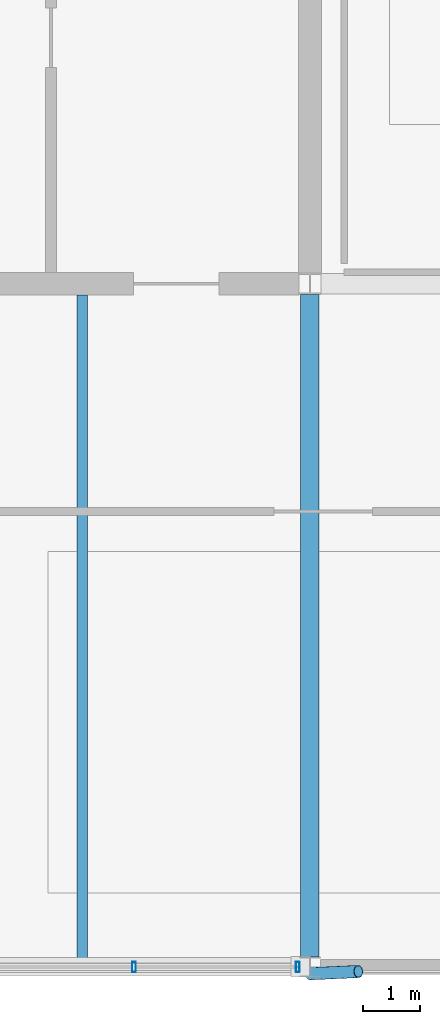
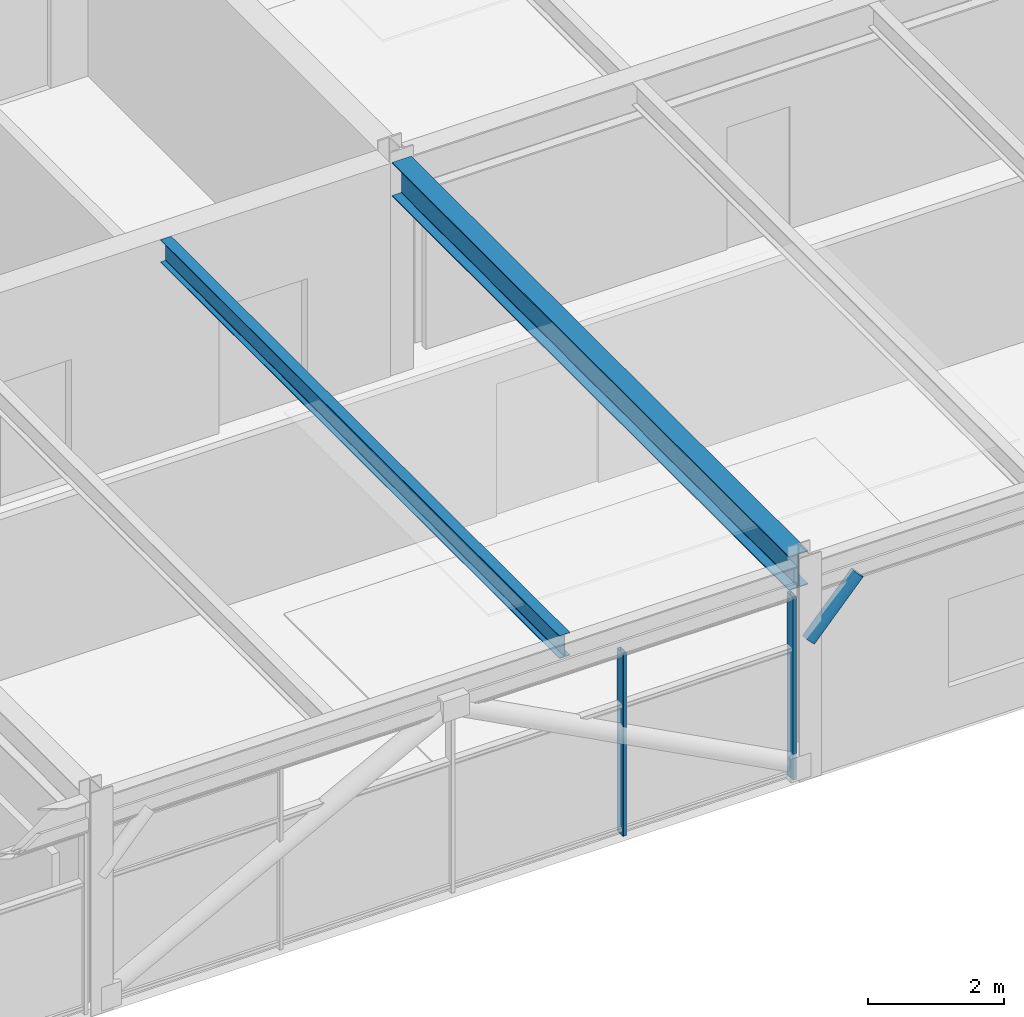
# One storey, part 29 of 40: 3 members, 2 beams, 1 element without a shape of its own.
"""IFC4 building model written with IfcOpenShell, lengths in metres."""

import ifcopenshell
import ifcopenshell.guid

model = None  # the IFC model being written
_history = None  # IfcOwnerHistory: only IFC2X3 demands one
_inside = {}  # id of a spatial element -> (the spatial element, [elements in it])
_under = {}  # id of a project, library or spatial element -> (it, [spatial elements below it])
_declared = {}  # id of a project -> (the project, [libraries it declares])
_typed = {}  # id of a type object -> (the type object, [elements of that type])
_made_of = {}  # id of a material, layer set ... -> (it, [elements and type objects made of it])


def new_model(schema):
    """Start an empty IFC model of exactly this schema.

    Asked for "IFC4X3", IfcOpenShell would pick the latest addendum, in which some entities
    have other attributes; the version numbers below select the first issue.
    IFC2X3 requires an IfcOwnerHistory on every rooted entity: one is made here for all.
    """
    global model, _history
    if schema == "IFC4X3":
        model = ifcopenshell.file(schema_version=(4, 3, 0, 0))
    else:
        model = ifcopenshell.file(schema=schema)
    _inside.clear()
    _under.clear()
    _declared.clear()
    _typed.clear()
    _made_of.clear()
    _history = None
    if model.schema == "IFC2X3":
        org = make("IfcOrganization", Name="unknown")
        user = make(
            "IfcPersonAndOrganization",
            ThePerson=make("IfcPerson", FamilyName="unknown"),
            TheOrganization=org,
        )
        app = make(
            "IfcApplication",
            ApplicationDeveloper=org,
            Version="unknown",
            ApplicationFullName="unknown",
            ApplicationIdentifier="unknown",
        )
        _history = make(
            "IfcOwnerHistory",
            OwningUser=user,
            OwningApplication=app,
            ChangeAction="ADDED",
            CreationDate=0,
        )
    return model


def make(cls, **values):
    """One entity of the class cls with the attributes given. An attribute that is None is left unset."""
    return model.create_entity(
        cls, **{name: value for name, value in values.items() if value is not None}
    )


def rooted(cls, **values):
    """An entity with a GlobalId (a new one), such as an element, a storey or a relation."""
    return make(cls, GlobalId=ifcopenshell.guid.new(), OwnerHistory=_history, **values)


def si_unit(unit_type, name, prefix=None):
    """IfcSIUnit, for example si_unit("LENGTHUNIT", "METRE", prefix="MILLI")."""
    return make("IfcSIUnit", UnitType=unit_type, Prefix=prefix, Name=name)


def assignment(units):
    """IfcUnitAssignment: the units of a project."""
    return None if units is None else make("IfcUnitAssignment", Units=units)


def point(xyz):
    """IfcCartesianPoint."""
    return None if xyz is None else make("IfcCartesianPoint", Coordinates=xyz)


def direction(xyz):
    """IfcDirection."""
    return None if xyz is None else make("IfcDirection", DirectionRatios=xyz)


def frame(location, z_axis=None, x_axis=None):
    """IfcAxis2Placement3D, a coordinate frame: its origin and axes. An axis left out is left unset."""
    return make(
        "IfcAxis2Placement3D",
        Location=point(location),
        Axis=direction(z_axis),
        RefDirection=direction(x_axis),
    )


def frame_2d(location, x_axis=None):
    """IfcAxis2Placement2D, a coordinate frame in the plane: its origin and x axis."""
    return make(
        "IfcAxis2Placement2D", Location=point(location), RefDirection=direction(x_axis)
    )


def origin():
    """The frame at (0, 0, 0) with its axes left unset."""
    return frame((0.0, 0.0, 0.0))


def origin_2d():
    """The frame at (0, 0) in the plane with its x axis left unset."""
    return frame_2d((0.0, 0.0))


def place(relative_to, where):
    """IfcLocalPlacement: puts the frame where relative to a parent placement (None: the world)."""
    return make(
        "IfcLocalPlacement", PlacementRelTo=relative_to, RelativePlacement=where
    )


def context(
    kind, dimensions, precision=None, world=None, true_north=None, identifier=None
):
    """IfcGeometricRepresentationContext, for example the 3D "Model" context."""
    return make(
        "IfcGeometricRepresentationContext",
        ContextIdentifier=identifier,
        ContextType=kind,
        CoordinateSpaceDimension=dimensions,
        Precision=precision,
        WorldCoordinateSystem=world,
        TrueNorth=true_north,
    )


def subcontext(parent, identifier, kind, view, scale=None):
    """IfcGeometricRepresentationSubContext, for example "Body" below "Model"."""
    return make(
        "IfcGeometricRepresentationSubContext",
        ContextIdentifier=identifier,
        ContextType=kind,
        ParentContext=parent,
        TargetScale=scale,
        TargetView=view,
    )


def project(units=None, contexts=None):
    """IfcProject with its units and contexts."""
    return rooted(
        "IfcProject",
        Name="project",
        RepresentationContexts=contexts,
        UnitsInContext=assignment(units),
    )


def spatial(cls, under=None, at=None, **own):
    """A site, building, storey or space (cls), placed at a placement, below another one or the project."""
    s = rooted(cls, ObjectPlacement=at, **own)
    if under is not None:
        _under.setdefault(under.id(), (under, []))[1].append(s)
    return s


def profile(cls, at=None, kind="AREA", **sizes):
    """A parametric profile (cls). Its sizes go by their IFC names, for example OverallWidth=200.0."""
    return make(cls, ProfileType=kind, Position=at, **sizes)


def hollow_rectangle(**sizes):
    """IfcRectangleHollowProfileDef."""
    return profile("IfcRectangleHollowProfileDef", **sizes)


def hollow_circle(**sizes):
    """IfcCircleHollowProfileDef."""
    return profile("IfcCircleHollowProfileDef", **sizes)


def i_section(**sizes):
    """IfcIShapeProfileDef."""
    return profile("IfcIShapeProfileDef", **sizes)


def extrude(swept, where, along, depth):
    """IfcExtrudedAreaSolid: the profile swept, set in the frame where, extruded along a direction by depth."""
    return make(
        "IfcExtrudedAreaSolid",
        SweptArea=swept,
        Position=where,
        ExtrudedDirection=direction(along),
        Depth=depth,
    )


def shape(context_of_items, identifier, shape_type, items):
    """IfcShapeRepresentation: the items that make up one representation, for example the "Body"."""
    return make(
        "IfcShapeRepresentation",
        ContextOfItems=context_of_items,
        RepresentationIdentifier=identifier,
        RepresentationType=shape_type,
        Items=items,
    )


def material(Name=None, Category=None):
    """IfcMaterial."""
    return make("IfcMaterial", Name=Name, Category=Category)


def material_profile(
    of_material, cross_section, Name=None, Category=None, Priority=None
):
    """IfcMaterialProfile: a cross section and its material."""
    return make(
        "IfcMaterialProfile",
        Name=Name,
        Material=of_material,
        Profile=cross_section,
        Priority=Priority,
        Category=Category,
    )


def profile_set(profiles, Name=None, composite=None):
    """IfcMaterialProfileSet."""
    return make(
        "IfcMaterialProfileSet",
        Name=Name,
        MaterialProfiles=profiles,
        CompositeProfile=composite,
    )


def made_of(thing, what):
    """Note that an element or type object is made of a material, layer set ...; save() writes the relation."""
    if what is not None:
        _made_of.setdefault(what.id(), (what, []))[1].append(thing)
    return thing


def type_object(cls, material=None, **own):
    """A type object (cls), such as IfcWallType, which elements share."""
    return made_of(rooted(cls, **own), material)


def element(
    cls,
    number,
    at=None,
    inside=None,
    cuts=None,
    type_object=None,
    material=None,
    context=None,
    identifier="Body",
    shape_type=None,
    held_by="IfcProductDefinitionShape",
    body=None,
    shapes=None,
    **own,
):
    """One element of the class cls, such as IfcWall. Its Tag is "e" and its number.

    at: its placement. inside: the storey or other place that contains it. cuts: it is an
    opening in that element (IfcRelVoidsElement). A single representation is given by context,
    identifier, shape_type and body (its items); several are given by shapes. held_by: the class
    of the entity that holds the representations. save() writes the other relations.
    """
    e = rooted(cls, Tag="e%d" % number, ObjectPlacement=at, **own)
    if body is not None:
        shapes = [shape(context, identifier, shape_type, body)]
    if shapes is not None:
        e.Representation = make(held_by, Representations=shapes)
    if inside is not None:
        _inside.setdefault(inside.id(), (inside, []))[1].append(e)
    if cuts is not None:
        rooted(
            "IfcRelVoidsElement", RelatingBuildingElement=cuts, RelatedOpeningElement=e
        )
    if type_object is not None:
        _typed.setdefault(type_object.id(), (type_object, []))[1].append(e)
    return made_of(e, material)


def aggregate(whole, parts):
    """IfcRelAggregates: a whole, such as a stair, and the parts it consists of."""
    return rooted("IfcRelAggregates", RelatingObject=whole, RelatedObjects=parts)


def save(model, path):
    """Write the relations noted so far, then the file.

    IfcRelAggregates (storeys below a building ...), IfcRelContainedInSpatialStructure (elements
    in a storey), IfcRelDefinesByType, IfcRelAssociatesMaterial and IfcRelDeclares: one each for
    every whole, place, type object, material and project.
    """
    for whole, parts in _under.values():
        aggregate(whole, parts)
    for where, things in _inside.values():
        rooted(
            "IfcRelContainedInSpatialStructure",
            RelatedElements=things,
            RelatingStructure=where,
        )
    for kind, things in _typed.values():
        rooted("IfcRelDefinesByType", RelatedObjects=things, RelatingType=kind)
    for what, things in _made_of.values():
        rooted("IfcRelAssociatesMaterial", RelatedObjects=things, RelatingMaterial=what)
    for by, libraries in _declared.values():
        rooted("IfcRelDeclares", RelatingContext=by, RelatedDefinitions=libraries)
    model.write(path)


model = new_model("IFC4")

# Units and contexts
model_context = context("Model", 3, precision=1e-05, world=origin(), true_north=direction((0.0, 1.0)))
body_context = subcontext(model_context, "Body", "Model", "MODEL_VIEW")
ifc_project = project(units=[si_unit("LENGTHUNIT", "METRE"), si_unit("AREAUNIT", "SQUARE_METRE"), si_unit("VOLUMEUNIT", "CUBIC_METRE"), si_unit("PLANEANGLEUNIT", "RADIAN"), si_unit("MASSUNIT", "GRAM", prefix="KILO")], contexts=[model_context])

# Site, building, storey
site_placement = place(None, origin())
site = spatial("IfcSite", under=ifc_project, at=site_placement, CompositionType="ELEMENT")
building_placement = place(site_placement, origin())
building = spatial("IfcBuilding", under=site, at=building_placement, Name="Girod Span Mobility Hub", CompositionType="ELEMENT")
storey_placement = place(building_placement, frame((0.0, 0.0, 53.60009765625)))
storey = spatial("IfcBuildingStorey", under=building, at=storey_placement, Name="L13", CompositionType="ELEMENT", Elevation=53.60009765625)

# Beams
ifc_material_1 = material(Name="Steel A992 Grade 50", Category="steel")
ifc_material_profile_1 = material_profile(ifc_material_1, i_section(OverallWidth=0.178955078125, OverallDepth=0.409912109375, WebThickness=0.0087890625, FlangeThickness=0.014404296875, FilletRadius=0.012939453125, at=origin_2d()), Name="W16X45")
ifc_profile_set_1 = profile_set([ifc_material_profile_1], Name="Steel A992 Grade 50")
beam_type_1 = type_object("IfcBeamType", Name="BM-STL-W16X45", PredefinedType="BEAM", material=ifc_profile_set_1)
beam_1_placement = place(storey_placement, frame((116.0, 45.10302734375, 3.60986328125), z_axis=(0.0, 1.0, 0.0), x_axis=(-1.0, 0.0, 0.0)))
element("IfcBeam", 1, at=beam_1_placement, inside=storey, type_object=beam_type_1, Name="Composite Floorbeam 10/D-2 L13", PredefinedType="BEAM", context=body_context, shape_type="SweptSolid", body=[
    extrude(i_section(OverallWidth=0.178955078125, OverallDepth=0.409912109375, WebThickness=0.0087890625, FlangeThickness=0.014404296875, FilletRadius=0.012939453125, at=origin_2d()), origin(), (0.0, 0.0, 1.0), 11.699951171875),
])
ifc_material_2 = material(Name="Steel A992 Grade 50", Category="steel")
ifc_material_profile_2 = material_profile(ifc_material_2, i_section(OverallWidth=0.323974609375, OverallDepth=0.611083984375, WebThickness=0.0126953125, FlangeThickness=0.01904296875, FilletRadius=0.014892578125, at=origin_2d()), Name="W24X104")
ifc_profile_set_2 = profile_set([ifc_material_profile_2], Name="Steel A992 Grade 50")
beam_type_2 = type_object("IfcBeamType", Name="BM-STL-W24X104", PredefinedType="BEAM", material=ifc_profile_set_2)
beam_2_placement = place(storey_placement, frame((120.0, 45.175048828125, 3.509521484375), z_axis=(0.0, 1.0, 0.0), x_axis=(-1.0, 0.0, 0.0)))
element("IfcBeam", 2, at=beam_2_placement, inside=storey, type_object=beam_type_2, Name="Tie Girder 11/D-E L13", PredefinedType="BEAM", context=body_context, shape_type="SweptSolid", body=[
    extrude(i_section(OverallWidth=0.323974609375, OverallDepth=0.611083984375, WebThickness=0.0126953125, FlangeThickness=0.01904296875, FilletRadius=0.014892578125, at=origin_2d()), origin(), (0.0, 0.0, 1.0), 11.640380859375),
])

# Curtain wall, members
ifc_material_3 = material(Name="Thermally Broken Anodised Aluminium", Category="aluminium")
curtain_wall_type = type_object("IfcCurtainWallType", Name="CW-1164X327", PredefinedType="USERDEFINED", material=ifc_material_3)
curtain_wall_placement = place(storey_placement, origin())
curtain_wall = element("IfcCurtainWall", 3, at=curtain_wall_placement, inside=storey, type_object=curtain_wall_type, Name="Unitised Curtain Wall CW-L13-S10 L13", ObjectType="UNITISED CURTAIN WALL", PredefinedType="USERDEFINED")
ifc_material_4 = material(Name="Thermally Broken Anodised Aluminium", Category="aluminium")
ifc_material_profile_3 = material_profile(ifc_material_4, hollow_rectangle(XDim=0.179931640625, YDim=0.06494140625, WallThickness=0.00390625, InnerFilletRadius=0.00390625, OuterFilletRadius=0.008056640625, at=origin_2d()), Name="CW-ML-65X180")
ifc_profile_set_3 = profile_set([ifc_material_profile_3], Name="Thermally Broken Anodised Aluminium")
member_type_1 = type_object("IfcMemberType", Name="CWM-ML-2", PredefinedType="MULLION", material=ifc_profile_set_3)
member_1_placement = place(storey_placement, frame((116.90869140625, 45.0, 0.0), z_axis=(0.0, 0.0, 1.0), x_axis=(0.0, 1.0, 0.0)))
member_1 = element("IfcMember", 4, at=member_1_placement, type_object=member_type_1, Name="Curtain Wall Mullion CW-L13-S10-M3", PredefinedType="MULLION", context=body_context, shape_type="SweptSolid", body=[
    extrude(hollow_rectangle(XDim=0.179931640625, YDim=0.06494140625, WallThickness=0.00390625, InnerFilletRadius=0.00390625, OuterFilletRadius=0.008056640625, at=origin_2d()), origin(), (0.0, 0.0, 1.0), 3.27099609375),
])
member_2_placement = place(storey_placement, frame((119.785400390625, 45.0, 0.0), z_axis=(0.0, 0.0, 1.0), x_axis=(0.0, 1.0, 0.0)))
member_2 = element("IfcMember", 5, at=member_2_placement, type_object=member_type_1, Name="Curtain Wall Mullion CW-L13-S10-M4", PredefinedType="MULLION", context=body_context, shape_type="SweptSolid", body=[
    extrude(hollow_rectangle(XDim=0.179931640625, YDim=0.06494140625, WallThickness=0.00390625, InnerFilletRadius=0.00390625, OuterFilletRadius=0.008056640625, at=origin_2d()), origin(), (0.0, 0.0, 1.0), 3.27099609375),
])
aggregate(curtain_wall, [member_1, member_2])

# Member
ifc_material_5 = material(Name="Steel HSS A500 Grade C", Category="steel")
ifc_material_profile_4 = material_profile(ifc_material_5, hollow_circle(Radius=0.109619140625, WallThickness=0.0087890625, at=origin_2d()), Name="HSS219X9.5")
ifc_profile_set_4 = profile_set([ifc_material_profile_4], Name="Steel HSS A500 Grade C")
member_type_2 = type_object("IfcMemberType", Name="MB-ST-HSS219", PredefinedType="STRUT", material=ifc_profile_set_4)
member_3_placement = place(storey_placement, frame((120.0, 44.8798828125, 2.449951171875), z_axis=(0.692370429022, 0.032610209753, 0.720804941184), x_axis=(-0.047047213483, 0.998892666758, 0.0)))
element("IfcMember", 6, at=member_3_placement, inside=storey, type_object=member_type_2, Name="Solar Shading Knee Strut 11 L13", PredefinedType="STRUT", context=body_context, shape_type="SweptSolid", body=[
    extrude(hollow_circle(Radius=0.109619140625, WallThickness=0.0087890625, at=origin_2d()), origin(), (0.0, 0.0, 1.0), 1.227783203125),
])

save(model, "model.ifc")
